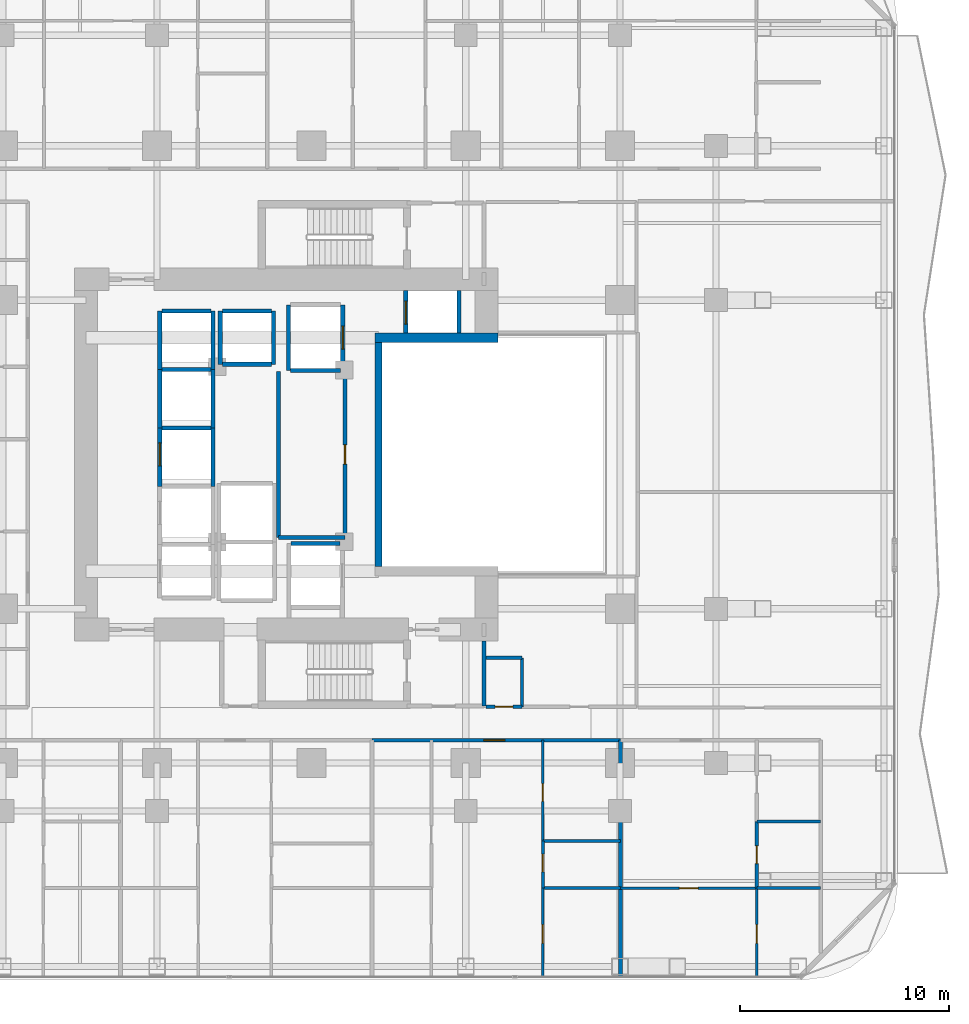
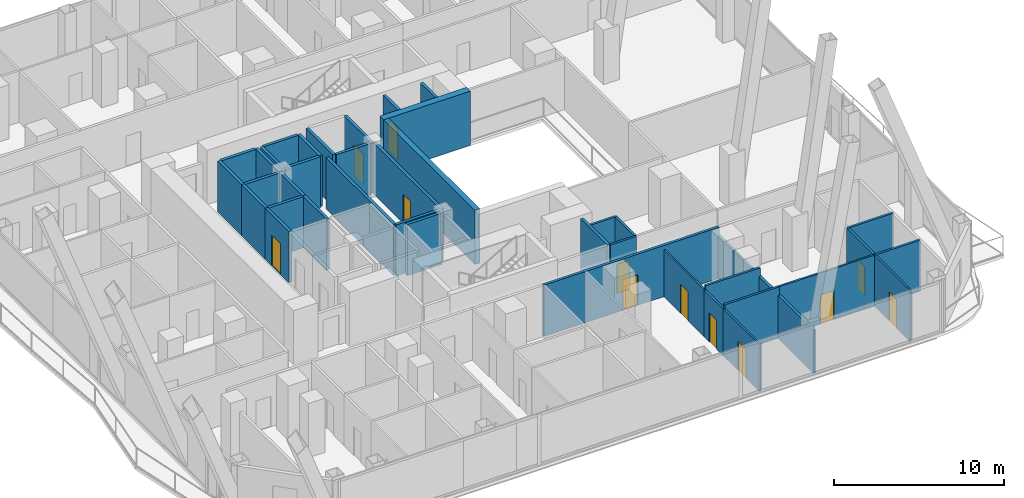
# One storey, part 27 of 33: 40 walls, 12 doors, 12 openings.
"""IFC4 building model written with IfcOpenShell, lengths in metres."""

from ifc_helpers import new_model, si_unit, direction, frame, frame_2d, origin, place, context, subcontext, project, spatial, rectangle, extrude, material, layer, layer_set, type_object, element, fill, save


model = new_model("IFC4")

# Units and contexts
model_context = context("Model", 3, precision=1e-05, world=origin(), true_north=direction((0.0, 1.0)))
body_context = subcontext(model_context, "Body", "Model", "MODEL_VIEW")
ifc_project = project(units=[si_unit("LENGTHUNIT", "METRE"), si_unit("AREAUNIT", "SQUARE_METRE"), si_unit("VOLUMEUNIT", "CUBIC_METRE"), si_unit("PLANEANGLEUNIT", "RADIAN"), si_unit("MASSUNIT", "GRAM", prefix="KILO")], contexts=[model_context])

# Site, building, storey
site_placement = place(None, origin())
site = spatial("IfcSite", under=ifc_project, at=site_placement, CompositionType="ELEMENT")
building_placement = place(site_placement, origin())
building = spatial("IfcBuilding", under=site, at=building_placement, Name="Khorvyn Point Tower", CompositionType="ELEMENT")
storey_placement = place(building_placement, frame((0.0, 0.0, 38.39990234375)))
storey = spatial("IfcBuildingStorey", under=building, at=storey_placement, Name="L10", CompositionType="ELEMENT", Elevation=38.39990234375)

# Wall, opening, door
ifc_material_1 = material(Name="Double acoustic gypsum on twin steel stud", Category="steel")
ifc_layer_1 = layer(ifc_material_1, 0.179931640625)
ifc_layer_set_1 = layer_set([ifc_layer_1], Name="Acoustic Double-Stud Apartment Demising Wall 180")
wall_type_1 = type_object("IfcWallType", Name="Acoustic Double-Stud Apartment Demising Wall 180", PredefinedType="PARTITIONING", material=ifc_layer_set_1)
wall_1_placement = place(storey_placement, frame((2.89990234375, -13.699951171875, 0.0), z_axis=(0.0, 0.0, 1.0), x_axis=(1.0, 0.0, 0.0)))
wall_1 = element("IfcWall", 1, at=wall_1_placement, inside=storey, type_object=wall_type_1, Name="Wall", PredefinedType="PARTITIONING", context=body_context, shape_type="SweptSolid", body=[
    extrude(rectangle(XDim=11.922119140625, YDim=0.179931640625, at=frame_2d((5.9609375, 0.0))), origin(), (0.0, 0.0, 1.0), 3.68017578125),
])
opening_1_placement = place(wall_1_placement, frame((5.37109375, 0.0, 0.0)))
opening_1 = element("IfcOpeningElement", 2, at=opening_1_placement, cuts=wall_1, Name="Opening ID-AP60", PredefinedType="OPENING", context=body_context, shape_type="SweptSolid", body=[
    extrude(rectangle(XDim=1.0, YDim=2.199951171875, at=frame_2d((0.5, 1.10009765625))), frame((0.0, 0.099853515625, 0.0), z_axis=(0.0, -1.0, 0.0), x_axis=(1.0, 0.0, 0.0)), (0.0, 0.0, 1.0), 0.199951171875),
])
ifc_material_2 = material(Name="Engineered hardwood fire-rated leaf", Category="wood")
door_type_1 = type_object("IfcDoorType", Name="Acoustic Solid-Core Timber Apartment Entrance Door 1000x2200", OperationType="NOTDEFINED", PredefinedType="DOOR", material=ifc_material_2)
door_1_placement = place(opening_1_placement, origin())
door_1 = element("IfcDoor", 3, at=door_1_placement, inside=storey, type_object=door_type_1, Name="Door", OperationType="SINGLE_SWING_LEFT", OverallHeight=2.199951171875, OverallWidth=1.0, PredefinedType="DOOR", context=body_context, shape_type="SweptSolid", body=[
    extrude(rectangle(XDim=1.0, YDim=2.199951171875, at=frame_2d((0.5, 1.10009765625))), frame((0.0, 0.02490234375, 0.0), z_axis=(0.0, -1.0, 0.0), x_axis=(1.0, 0.0, 0.0)), (0.0, 0.0, 1.0), 0.050048828125),
])
fill(opening_1, door_1)

# Walls
wall_2_placement = place(storey_placement, frame((14.822021484375, -25.030029296875, 0.0), z_axis=(0.0, 0.0, 1.0), x_axis=(0.0, 1.0, 0.0)))
element("IfcWall", 4, at=wall_2_placement, inside=storey, type_object=wall_type_1, Name="Wall", PredefinedType="PARTITIONING", context=body_context, shape_type="SweptSolid", body=[
    extrude(rectangle(XDim=11.330078125, YDim=0.179931640625, at=frame_2d((5.6650390625, 0.0))), origin(), (0.0, 0.0, 1.0), 3.08203125),
])
ifc_material_3 = material(Name="Concrete C40/50", Category="concrete")
ifc_layer_2 = layer(ifc_material_3, 0.449951171875)
ifc_layer_set_2 = layer_set([ifc_layer_2], Name="Concrete C40/50 Core Shear Wall 450")
wall_type_2 = type_object("IfcWallType", Name="Concrete C40/50 Core Shear Wall 450", PredefinedType="SHEAR", material=ifc_layer_set_2)
wall_3_placement = place(storey_placement, frame((3.044921875, 5.60009765625, 0.0), z_axis=(0.0, 0.0, 1.0), x_axis=(1.0, 0.0, 0.0)))
element("IfcWall", 5, at=wall_3_placement, inside=storey, type_object=wall_type_2, Name="Wall", PredefinedType="SHEAR", context=body_context, shape_type="SweptSolid", body=[
    extrude(rectangle(XDim=5.905029296875, YDim=0.449951171875, at=frame_2d((2.95263671875, 0.0))), origin(), (0.0, 0.0, 1.0), 3.900146484375),
])

# Wall, opening, door
ifc_layer_3 = layer(ifc_material_3, 0.199951171875)
ifc_layer_set_3 = layer_set([ifc_layer_3], Name="Concrete C40/50 Fire-Lobby Compartment Wall 200")
wall_type_3 = type_object("IfcWallType", Name="Concrete C40/50 Fire-Lobby Compartment Wall 200", PredefinedType="SOLIDWALL", material=ifc_layer_set_3)
wall_4_placement = place(storey_placement, frame((1.610107421875, -3.97998046875, 0.0), z_axis=(0.0, 0.0, 1.0), x_axis=(0.0, 1.0, 0.0)))
wall_4 = element("IfcWall", 6, at=wall_4_placement, inside=storey, type_object=wall_type_3, Name="Wall", PredefinedType="SOLIDWALL", context=body_context, shape_type="SweptSolid", body=[
    extrude(rectangle(XDim=7.9599609375, YDim=0.199951171875, at=frame_2d((3.97998046875, 0.0))), origin(), (0.0, 0.0, 1.0), 3.68017578125),
])
opening_2_placement = place(wall_4_placement, frame((3.52001953125, 0.0, 0.0)))
opening_2 = element("IfcOpeningElement", 7, at=opening_2_placement, cuts=wall_4, Name="Opening ID-RS60", PredefinedType="OPENING", context=body_context, shape_type="SweptSolid", body=[
    extrude(rectangle(XDim=0.919921875, YDim=2.10009765625, at=frame_2d((0.4599609375, 1.050048828125))), frame((0.0, 0.10986328125, 0.0), z_axis=(0.0, -1.0, 0.0), x_axis=(1.0, 0.0, 0.0)), (0.0, 0.0, 1.0), 0.219970703125),
])
ifc_material_4 = material(Name="Galvanised powder-coated steel", Category="steel")
door_type_2 = type_object("IfcDoorType", Name="Fire-Rated Riser and Store Steel Door 920x2100", OperationType="NOTDEFINED", PredefinedType="DOOR", material=ifc_material_4)
door_2_placement = place(opening_2_placement, origin())
door_2 = element("IfcDoor", 8, at=door_2_placement, inside=storey, type_object=door_type_2, Name="Door", OperationType="SINGLE_SWING_RIGHT", OverallHeight=2.10009765625, OverallWidth=0.919921875, PredefinedType="DOOR", context=body_context, shape_type="SweptSolid", body=[
    extrude(rectangle(XDim=0.919921875, YDim=2.10009765625, at=frame_2d((0.4599609375, 1.050048828125))), frame((0.0, 0.02490234375, 0.0), z_axis=(0.0, -1.0, 0.0), x_axis=(1.0, 0.0, 0.0)), (0.0, 0.0, 1.0), 0.050048828125),
])
fill(opening_2, door_2)

# Walls
wall_5_placement = place(storey_placement, frame((8.280029296875, -12.06005859375, 0.0), z_axis=(0.0, 0.0, 1.0), x_axis=(0.0, 1.0, 0.0)))
element("IfcWall", 9, at=wall_5_placement, inside=storey, type_object=wall_type_3, Name="Wall", PredefinedType="SOLIDWALL", context=body_context, shape_type="SweptSolid", body=[
    extrude(rectangle(XDim=3.110107421875, YDim=0.199951171875, at=frame_2d((1.55517578125, 0.0))), origin(), (0.0, 0.0, 1.0), 3.68017578125),
])
wall_6_placement = place(storey_placement, frame((-1.580078125, -3.97998046875, 0.0), z_axis=(0.0, 0.0, 1.0), x_axis=(0.0, 1.0, 0.0)))
element("IfcWall", 10, at=wall_6_placement, inside=storey, type_object=wall_type_3, Name="Wall", PredefinedType="SOLIDWALL", context=body_context, shape_type="SweptSolid", body=[
    extrude(rectangle(XDim=7.9599609375, YDim=0.199951171875, at=frame_2d((3.97998046875, 0.0))), origin(), (0.0, 0.0, 1.0), 3.68017578125),
])
wall_7_placement = place(storey_placement, frame((-1.580078125, -3.97998046875, 0.0), z_axis=(0.0, 0.0, 1.0), x_axis=(1.0, 0.0, 0.0)))
element("IfcWall", 11, at=wall_7_placement, inside=storey, type_object=wall_type_3, Name="Wall", PredefinedType="SOLIDWALL", context=body_context, shape_type="SweptSolid", body=[
    extrude(rectangle(XDim=3.190185546875, YDim=0.199951171875, at=frame_2d((1.59521484375, 0.0))), origin(), (0.0, 0.0, 1.0), 3.68017578125),
])
ifc_layer_4 = layer(ifc_material_3, 0.35009765625)
ifc_layer_set_4 = layer_set([ifc_layer_4], Name="Concrete C40/50 Stair Shaft Structural Wall 350")
wall_type_4 = type_object("IfcWallType", Name="Concrete C40/50 Stair Shaft Structural Wall 350", PredefinedType="SHEAR", material=ifc_layer_set_4)
wall_8_placement = place(storey_placement, frame((3.219970703125, -5.375, 0.0), z_axis=(0.0, 0.0, 1.0), x_axis=(0.0, 1.0, 0.0)))
element("IfcWall", 12, at=wall_8_placement, inside=storey, type_object=wall_type_4, Name="Wall", PredefinedType="SHEAR", context=body_context, shape_type="SweptSolid", body=[
    extrude(rectangle(XDim=10.75, YDim=0.35009765625, at=frame_2d((5.375, 0.0))), origin(), (0.0, 0.0, 1.0), 3.900146484375),
])

# Wall, opening, door
ifc_layer_5 = layer(ifc_material_3, 0.199951171875)
ifc_layer_set_5 = layer_set([ifc_layer_5], Name="Concrete C40/50 Structural Hoistway and Stair Shaft Wall 200")
wall_type_5 = type_object("IfcWallType", Name="Concrete C40/50 Structural Hoistway and Stair Shaft Wall 200", PredefinedType="SHEAR", material=ifc_layer_set_5)
wall_9_placement = place(storey_placement, frame((-7.27490234375, -1.52490234375, 0.0), z_axis=(0.0, 0.0, 1.0), x_axis=(0.0, 1.0, 0.0)))
wall_9 = element("IfcWall", 13, at=wall_9_placement, inside=storey, type_object=wall_type_5, Name="Wall", PredefinedType="SHEAR", context=body_context, shape_type="SweptSolid", body=[
    extrude(rectangle(XDim=2.7998046875, YDim=0.199951171875, at=frame_2d((1.39990234375, 0.0))), origin(), (0.0, 0.0, 1.0), 3.68017578125),
])
opening_3_placement = place(wall_9_placement, frame((0.97509765625, 0.0, 0.0)))
opening_3 = element("IfcOpeningElement", 14, at=opening_3_placement, cuts=wall_9, Name="Opening LD-1122", PredefinedType="OPENING", context=body_context, shape_type="SweptSolid", body=[
    extrude(rectangle(XDim=1.10009765625, YDim=2.199951171875, at=frame_2d((0.550048828125, 1.10009765625))), frame((0.0, 0.10986328125, 0.0), z_axis=(0.0, -1.0, 0.0), x_axis=(1.0, 0.0, 0.0)), (0.0, 0.0, 1.0), 0.219970703125),
])
ifc_material_5 = material(Name="Stainless steel 1.4301", Category="steel")
door_type_3 = type_object("IfcDoorType", Name="Stainless Steel Automatic Sliding Lift Landing Door 1100x2200", OperationType="SLIDING_TO_LEFT", PredefinedType="DOOR", material=ifc_material_5)
door_3_placement = place(opening_3_placement, origin())
door_3 = element("IfcDoor", 15, at=door_3_placement, inside=storey, type_object=door_type_3, Name="L10 RL-03 Sliding Lift Landing Door", OperationType="SLIDING_TO_LEFT", OverallHeight=2.199951171875, OverallWidth=1.10009765625, PredefinedType="DOOR", context=body_context, shape_type="SweptSolid", body=[
    extrude(rectangle(XDim=1.10009765625, YDim=2.199951171875, at=frame_2d((0.550048828125, 1.10009765625))), frame((0.0, 0.02490234375, 0.0), z_axis=(0.0, -1.0, 0.0), x_axis=(1.0, 0.0, 0.0)), (0.0, 0.0, 1.0), 0.050048828125),
])
fill(opening_3, door_3)

# Walls
wall_10_placement = place(storey_placement, frame((-4.72509765625, -1.52490234375, 0.0), z_axis=(0.0, 0.0, 1.0), x_axis=(0.0, 1.0, 0.0)))
element("IfcWall", 16, at=wall_10_placement, inside=storey, type_object=wall_type_5, Name="Wall", PredefinedType="SHEAR", context=body_context, shape_type="SweptSolid", body=[
    extrude(rectangle(XDim=2.7998046875, YDim=0.199951171875, at=frame_2d((1.39990234375, 0.0))), origin(), (0.0, 0.0, 1.0), 3.68017578125),
])
wall_11_placement = place(storey_placement, frame((-7.175048828125, 1.27490234375, 0.0), z_axis=(0.0, 0.0, 1.0), x_axis=(1.0, 0.0, 0.0)))
element("IfcWall", 17, at=wall_11_placement, inside=storey, type_object=wall_type_5, Name="Wall", PredefinedType="SHEAR", context=body_context, shape_type="SweptSolid", body=[
    extrude(rectangle(XDim=2.35009765625, YDim=0.199951171875, at=frame_2d((1.175048828125, 0.0))), origin(), (0.0, 0.0, 1.0), 3.68017578125),
])
for number, where, z_axis, x_axis, name in (
    (18, (-7.27490234375, 1.27490234375, 0.0), (0.0, 0.0, 1.0), (0.0, 1.0, 0.0), "Wall"),
    (19, (-4.72509765625, 1.27490234375, 0.0), (0.0, 0.0, 1.0), (0.0, 1.0, 0.0), "Wall"),
):
    element("IfcWall", number, at=place(storey_placement, frame(where, z_axis=z_axis, x_axis=x_axis)), inside=storey, type_object=wall_type_5, Name=name, PredefinedType="SHEAR", context=body_context, shape_type="SweptSolid", body=[
        extrude(rectangle(XDim=2.800048828125, YDim=0.199951171875, at=frame_2d((1.39990234375, 0.0))), origin(), (0.0, 0.0, 1.0), 3.68017578125),
    ])
wall_12_placement = place(storey_placement, frame((-7.175048828125, 4.074951171875, 0.0), z_axis=(0.0, 0.0, 1.0), x_axis=(1.0, 0.0, 0.0)))
element("IfcWall", 20, at=wall_12_placement, inside=storey, type_object=wall_type_5, Name="Wall", PredefinedType="SHEAR", context=body_context, shape_type="SweptSolid", body=[
    extrude(rectangle(XDim=2.35009765625, YDim=0.199951171875, at=frame_2d((1.175048828125, 0.0))), origin(), (0.0, 0.0, 1.0), 3.68017578125),
])
for number, where, z_axis, x_axis, name in (
    (21, (-7.27490234375, 4.074951171875, 0.0), (0.0, 0.0, 1.0), (0.0, 1.0, 0.0), "Wall"),
    (22, (-4.72509765625, 4.074951171875, 0.0), (0.0, 0.0, 1.0), (0.0, 1.0, 0.0), "Wall"),
):
    element("IfcWall", number, at=place(storey_placement, frame(where, z_axis=z_axis, x_axis=x_axis)), inside=storey, type_object=wall_type_5, Name=name, PredefinedType="SHEAR", context=body_context, shape_type="SweptSolid", body=[
        extrude(rectangle(XDim=2.800048828125, YDim=0.199951171875, at=frame_2d((1.39990234375, 0.0))), origin(), (0.0, 0.0, 1.0), 3.68017578125),
    ])
wall_13_placement = place(storey_placement, frame((-7.175048828125, 6.875, 0.0), z_axis=(0.0, 0.0, 1.0), x_axis=(1.0, 0.0, 0.0)))
element("IfcWall", 23, at=wall_13_placement, inside=storey, type_object=wall_type_5, Name="Wall", PredefinedType="SHEAR", context=body_context, shape_type="SweptSolid", body=[
    extrude(rectangle(XDim=2.35009765625, YDim=0.199951171875, at=frame_2d((1.175048828125, 0.0))), origin(), (0.0, 0.0, 1.0), 3.68017578125),
])
for number, where, z_axis, x_axis, name in (
    (24, (-4.375, 4.324951171875, 0.0), (0.0, 0.0, 1.0), (0.0, 1.0, 0.0), "Wall"),
    (25, (-1.824951171875, 4.324951171875, 0.0), (0.0, 0.0, 1.0), (0.0, 1.0, 0.0), "Wall"),
):
    element("IfcWall", number, at=place(storey_placement, frame(where, z_axis=z_axis, x_axis=x_axis)), inside=storey, type_object=wall_type_5, Name=name, PredefinedType="SHEAR", context=body_context, shape_type="SweptSolid", body=[
        extrude(rectangle(XDim=2.550048828125, YDim=0.199951171875, at=frame_2d((1.27490234375, 0.0))), origin(), (0.0, 0.0, 1.0), 3.68017578125),
    ])
for number, where, z_axis, x_axis, name in (
    (26, (-4.27490234375, 4.324951171875, 0.0), (0.0, 0.0, 1.0), (1.0, 0.0, 0.0), "Wall"),
    (27, (-4.27490234375, 6.875, 0.0), (0.0, 0.0, 1.0), (1.0, 0.0, 0.0), "Wall"),
):
    element("IfcWall", number, at=place(storey_placement, frame(where, z_axis=z_axis, x_axis=x_axis)), inside=storey, type_object=wall_type_5, Name=name, PredefinedType="SHEAR", context=body_context, shape_type="SweptSolid", body=[
        extrude(rectangle(XDim=2.349853515625, YDim=0.199951171875, at=frame_2d((1.1748046875, 0.0))), origin(), (0.0, 0.0, 1.0), 3.68017578125),
    ])
wall_14_placement = place(storey_placement, frame((-1.10009765625, 4.02490234375, 0.0), z_axis=(0.0, 0.0, 1.0), x_axis=(0.0, 1.0, 0.0)))
element("IfcWall", 28, at=wall_14_placement, inside=storey, type_object=wall_type_5, Name="Wall", PredefinedType="SHEAR", context=body_context, shape_type="SweptSolid", body=[
    extrude(rectangle(XDim=3.150146484375, YDim=0.199951171875, at=frame_2d((1.5751953125, 0.0))), origin(), (0.0, 0.0, 1.0), 3.68017578125),
])

# Wall, opening, door
wall_15_placement = place(storey_placement, frame((1.5, 4.02490234375, 0.0), z_axis=(0.0, 0.0, 1.0), x_axis=(0.0, 1.0, 0.0)))
wall_15 = element("IfcWall", 29, at=wall_15_placement, inside=storey, type_object=wall_type_5, Name="Wall", PredefinedType="SHEAR", context=body_context, shape_type="SweptSolid", body=[
    extrude(rectangle(XDim=3.150146484375, YDim=0.199951171875, at=frame_2d((1.5751953125, 0.0))), origin(), (0.0, 0.0, 1.0), 3.68017578125),
])
opening_4_placement = place(wall_15_placement, frame((1.02490234375, 0.0, 0.0)))
opening_4 = element("IfcOpeningElement", 30, at=opening_4_placement, cuts=wall_15, Name="Opening LD-1122", PredefinedType="OPENING", context=body_context, shape_type="SweptSolid", body=[
    extrude(rectangle(XDim=1.10009765625, YDim=2.199951171875, at=frame_2d((0.550048828125, 1.10009765625))), frame((0.0, 0.10986328125, 0.0), z_axis=(0.0, -1.0, 0.0), x_axis=(1.0, 0.0, 0.0)), (0.0, 0.0, 1.0), 0.219970703125),
])
door_4_placement = place(opening_4_placement, origin())
door_4 = element("IfcDoor", 31, at=door_4_placement, inside=storey, type_object=door_type_3, Name="L10 SV-01 Sliding Lift Landing Door", OperationType="SLIDING_TO_LEFT", OverallHeight=2.199951171875, OverallWidth=1.10009765625, PredefinedType="DOOR", context=body_context, shape_type="SweptSolid", body=[
    extrude(rectangle(XDim=1.10009765625, YDim=2.199951171875, at=frame_2d((0.550048828125, 1.10009765625))), frame((0.0, 0.02490234375, 0.0), z_axis=(0.0, -1.0, 0.0), x_axis=(1.0, 0.0, 0.0)), (0.0, 0.0, 1.0), 0.050048828125),
])
fill(opening_4, door_4)

# Walls
wall_16_placement = place(storey_placement, frame((-1.0, 4.02490234375, 0.0), z_axis=(0.0, 0.0, 1.0), x_axis=(1.0, 0.0, 0.0)))
element("IfcWall", 32, at=wall_16_placement, inside=storey, type_object=wall_type_5, Name="Wall", PredefinedType="SHEAR", context=body_context, shape_type="SweptSolid", body=[
    extrude(rectangle(XDim=2.39990234375, YDim=0.199951171875, at=frame_2d((1.199951171875, 0.0))), origin(), (0.0, 0.0, 1.0), 3.68017578125),
])
wall_17_placement = place(storey_placement, frame((-0.97509765625, -4.27490234375, 0.0), z_axis=(0.0, 0.0, 1.0), x_axis=(1.0, 0.0, 0.0)))
element("IfcWall", 33, at=wall_17_placement, inside=storey, type_object=wall_type_5, Name="Wall", PredefinedType="SHEAR", context=body_context, shape_type="SweptSolid", body=[
    extrude(rectangle(XDim=2.35009765625, YDim=0.199951171875, at=frame_2d((1.175048828125, 0.0))), origin(), (0.0, 0.0, 1.0), 3.68017578125),
])

# Wall, opening, door
wall_18_placement = place(storey_placement, frame((4.52490234375, 5.824951171875, 0.0), z_axis=(0.0, 0.0, 1.0), x_axis=(0.0, 1.0, 0.0)))
wall_18 = element("IfcWall", 34, at=wall_18_placement, inside=storey, type_object=wall_type_5, Name="Wall", PredefinedType="SHEAR", context=body_context, shape_type="SweptSolid", body=[
    extrude(rectangle(XDim=2.025146484375, YDim=0.199951171875, at=frame_2d((1.0126953125, 0.0))), origin(), (0.0, 0.0, 1.0), 3.68017578125),
])
opening_5_placement = place(wall_18_placement, frame((0.425048828125, 0.0, 0.0)))
opening_5 = element("IfcOpeningElement", 35, at=opening_5_placement, cuts=wall_18, Name="Opening LD-1122", PredefinedType="OPENING", context=body_context, shape_type="SweptSolid", body=[
    extrude(rectangle(XDim=1.10009765625, YDim=2.199951171875, at=frame_2d((0.550048828125, 1.10009765625))), frame((0.0, 0.10986328125, 0.0), z_axis=(0.0, -1.0, 0.0), x_axis=(1.0, 0.0, 0.0)), (0.0, 0.0, 1.0), 0.219970703125),
])
door_5_placement = place(opening_5_placement, origin())
door_5 = element("IfcDoor", 36, at=door_5_placement, inside=storey, type_object=door_type_3, Name="L10 FF-02 Sliding Lift Landing Door", OperationType="SLIDING_TO_LEFT", OverallHeight=2.199951171875, OverallWidth=1.10009765625, PredefinedType="DOOR", context=body_context, shape_type="SweptSolid", body=[
    extrude(rectangle(XDim=1.10009765625, YDim=2.199951171875, at=frame_2d((0.550048828125, 1.10009765625))), frame((0.0, 0.02490234375, 0.0), z_axis=(0.0, -1.0, 0.0), x_axis=(1.0, 0.0, 0.0)), (0.0, 0.0, 1.0), 0.050048828125),
])
fill(opening_5, door_5)

# Wall
wall_19_placement = place(storey_placement, frame((7.074951171875, 5.824951171875, 0.0), z_axis=(0.0, 0.0, 1.0), x_axis=(0.0, 1.0, 0.0)))
element("IfcWall", 37, at=wall_19_placement, inside=storey, type_object=wall_type_5, Name="Wall", PredefinedType="SHEAR", context=body_context, shape_type="SweptSolid", body=[
    extrude(rectangle(XDim=2.025146484375, YDim=0.199951171875, at=frame_2d((1.0126953125, 0.0))), origin(), (0.0, 0.0, 1.0), 3.68017578125),
])

# Wall, opening, door
ifc_material_6 = material(Name="Gypsum plasterboard on steel stud", Category="steel")
ifc_layer_6 = layer(ifc_material_6, 0.1201171875)
ifc_layer_set_6 = layer_set([ifc_layer_6], Name="Gypsum Acoustic Stud Room Partition Wall 120")
wall_type_6 = type_object("IfcWallType", Name="Gypsum Acoustic Stud Room Partition Wall 120", PredefinedType="PARTITIONING", material=ifc_layer_set_6)
wall_20_placement = place(storey_placement, frame((11.10205078125, -18.534912109375, 0.0), z_axis=(0.0, 0.0, 1.0), x_axis=(0.0, 1.0, 0.0)))
wall_20 = element("IfcWall", 38, at=wall_20_placement, inside=storey, type_object=wall_type_6, Name="Wall", PredefinedType="PARTITIONING", context=body_context, shape_type="SweptSolid", body=[
    extrude(rectangle(XDim=4.8349609375, YDim=0.1201171875, at=frame_2d((2.41748046875, 0.0))), origin(), (0.0, 0.0, 1.0), 3.3701171875),
])
opening_6_placement = place(wall_20_placement, frame((1.9052734375, 0.0, 0.0)))
opening_6 = element("IfcOpeningElement", 39, at=opening_6_placement, cuts=wall_20, Name="Opening ID-WC85", PredefinedType="OPENING", context=body_context, shape_type="SweptSolid", body=[
    extrude(rectangle(XDim=0.85009765625, YDim=2.10009765625, at=frame_2d((0.425048828125, 1.050048828125))), frame((0.0, 0.070068359375, 0.0), z_axis=(0.0, -1.0, 0.0), x_axis=(1.0, 0.0, 0.0)), (0.0, 0.0, 1.0), 0.14013671875),
])
ifc_material_7 = material(Name="High-pressure laminate on moisture-resistant core", Category="wood")
door_type_4 = type_object("IfcDoorType", Name="Moisture-Resistant Accessible Washroom Door 850x2100", OperationType="NOTDEFINED", PredefinedType="DOOR", material=ifc_material_7)
door_6_placement = place(opening_6_placement, origin())
door_6 = element("IfcDoor", 40, at=door_6_placement, inside=storey, type_object=door_type_4, Name="Door", OperationType="SINGLE_SWING_LEFT", OverallHeight=2.10009765625, OverallWidth=0.85009765625, PredefinedType="DOOR", context=body_context, shape_type="SweptSolid", body=[
    extrude(rectangle(XDim=0.85009765625, YDim=2.10009765625, at=frame_2d((0.425048828125, 1.050048828125))), frame((0.0, 0.02490234375, 0.0), z_axis=(0.0, -1.0, 0.0), x_axis=(1.0, 0.0, 0.0)), (0.0, 0.0, 1.0), 0.050048828125),
])
fill(opening_6, door_6)

wall_21_placement = place(storey_placement, frame((11.10205078125, -25.030029296875, 0.0), z_axis=(0.0, 0.0, 1.0), x_axis=(0.0, 1.0, 0.0)))
wall_21 = element("IfcWall", 41, at=wall_21_placement, inside=storey, type_object=wall_type_6, Name="Wall", PredefinedType="PARTITIONING", context=body_context, shape_type="SweptSolid", body=[
    extrude(rectangle(XDim=4.239990234375, YDim=0.1201171875, at=frame_2d((2.1201171875, 0.0))), origin(), (0.0, 0.0, 1.0), 3.3701171875),
])
opening_7_placement = place(wall_21_placement, frame((1.581298828125, 0.0, 0.0)))
opening_7 = element("IfcOpeningElement", 42, at=opening_7_placement, cuts=wall_21, Name="Opening ID-RM90", PredefinedType="OPENING", context=body_context, shape_type="SweptSolid", body=[
    extrude(rectangle(XDim=0.89990234375, YDim=2.10009765625, at=frame_2d((0.449951171875, 1.050048828125))), frame((0.0, 0.070068359375, 0.0), z_axis=(0.0, -1.0, 0.0), x_axis=(1.0, 0.0, 0.0)), (0.0, 0.0, 1.0), 0.14013671875),
])
ifc_material_8 = material(Name="Engineered oak veneer timber", Category="wood")
door_type_5 = type_object("IfcDoorType", Name="Flush Engineered Timber Room Door 900x2100", OperationType="NOTDEFINED", PredefinedType="DOOR", material=ifc_material_8)
door_7_placement = place(opening_7_placement, origin())
door_7 = element("IfcDoor", 43, at=door_7_placement, inside=storey, type_object=door_type_5, Name="Door", OperationType="SINGLE_SWING_RIGHT", OverallHeight=2.10009765625, OverallWidth=0.89990234375, PredefinedType="DOOR", context=body_context, shape_type="SweptSolid", body=[
    extrude(rectangle(XDim=0.89990234375, YDim=2.10009765625, at=frame_2d((0.449951171875, 1.050048828125))), frame((0.0, 0.02490234375, 0.0), z_axis=(0.0, -1.0, 0.0), x_axis=(1.0, 0.0, 0.0)), (0.0, 0.0, 1.0), 0.050048828125),
])
fill(opening_7, door_7)

wall_22_placement = place(storey_placement, frame((14.822021484375, -20.7900390625, 0.0), z_axis=(0.0, 0.0, 1.0), x_axis=(1.0, 0.0, 0.0)))
wall_22 = element("IfcWall", 44, at=wall_22_placement, inside=storey, type_object=wall_type_6, Name="Wall", PredefinedType="PARTITIONING", context=body_context, shape_type="SweptSolid", body=[
    extrude(rectangle(XDim=6.532958984375, YDim=0.1201171875, at=frame_2d((3.2666015625, 0.0))), origin(), (0.0, 0.0, 1.0), 3.68017578125),
])
opening_8_placement = place(wall_22_placement, frame((2.81640625, 0.0, 0.0)))
opening_8 = element("IfcOpeningElement", 45, at=opening_8_placement, cuts=wall_22, Name="Opening ID-RM90", PredefinedType="OPENING", context=body_context, shape_type="SweptSolid", body=[
    extrude(rectangle(XDim=0.89990234375, YDim=2.10009765625, at=frame_2d((0.449951171875, 1.050048828125))), frame((0.0, 0.070068359375, 0.0), z_axis=(0.0, -1.0, 0.0), x_axis=(1.0, 0.0, 0.0)), (0.0, 0.0, 1.0), 0.14013671875),
])
door_8_placement = place(opening_8_placement, origin())
door_8 = element("IfcDoor", 46, at=door_8_placement, inside=storey, type_object=door_type_5, Name="Door", OperationType="SINGLE_SWING_RIGHT", OverallHeight=2.10009765625, OverallWidth=0.89990234375, PredefinedType="DOOR", context=body_context, shape_type="SweptSolid", body=[
    extrude(rectangle(XDim=0.89990234375, YDim=2.10009765625, at=frame_2d((0.449951171875, 1.050048828125))), frame((0.0, 0.02490234375, 0.0), z_axis=(0.0, -1.0, 0.0), x_axis=(1.0, 0.0, 0.0)), (0.0, 0.0, 1.0), 0.050048828125),
])
fill(opening_8, door_8)

wall_23_placement = place(storey_placement, frame((21.35498046875, -25.030029296875, 0.0), z_axis=(0.0, 0.0, 1.0), x_axis=(0.0, 1.0, 0.0)))
wall_23 = element("IfcWall", 47, at=wall_23_placement, inside=storey, type_object=wall_type_6, Name="Wall", PredefinedType="PARTITIONING", context=body_context, shape_type="SweptSolid", body=[
    extrude(rectangle(XDim=4.239990234375, YDim=0.1201171875, at=frame_2d((2.1201171875, 0.0))), origin(), (0.0, 0.0, 1.0), 3.68017578125),
])
opening_9_placement = place(wall_23_placement, frame((1.581298828125, 0.0, 0.0)))
opening_9 = element("IfcOpeningElement", 48, at=opening_9_placement, cuts=wall_23, Name="Opening ID-RM90", PredefinedType="OPENING", context=body_context, shape_type="SweptSolid", body=[
    extrude(rectangle(XDim=0.89990234375, YDim=2.10009765625, at=frame_2d((0.449951171875, 1.050048828125))), frame((0.0, 0.070068359375, 0.0), z_axis=(0.0, -1.0, 0.0), x_axis=(1.0, 0.0, 0.0)), (0.0, 0.0, 1.0), 0.14013671875),
])
door_9_placement = place(opening_9_placement, origin())
door_9 = element("IfcDoor", 49, at=door_9_placement, inside=storey, type_object=door_type_5, Name="Door", OperationType="SINGLE_SWING_LEFT", OverallHeight=2.10009765625, OverallWidth=0.89990234375, PredefinedType="DOOR", context=body_context, shape_type="SweptSolid", body=[
    extrude(rectangle(XDim=0.89990234375, YDim=2.10009765625, at=frame_2d((0.449951171875, 1.050048828125))), frame((0.0, 0.02490234375, 0.0), z_axis=(0.0, -1.0, 0.0), x_axis=(1.0, 0.0, 0.0)), (0.0, 0.0, 1.0), 0.050048828125),
])
fill(opening_9, door_9)

ifc_material_9 = material(Name="Moisture-resistant gypsum and cement board", Category="gypsum")
ifc_layer_7 = layer(ifc_material_9, 0.14990234375)
ifc_layer_set_7 = layer_set([ifc_layer_7], Name="Moisture-Resistant Wet-Room Partition Wall 150")
wall_type_7 = type_object("IfcWallType", Name="Moisture-Resistant Wet-Room Partition Wall 150", PredefinedType="PARTITIONING", material=ifc_layer_set_7)
wall_24_placement = place(storey_placement, frame((8.360107421875, -12.10009765625, 0.0), z_axis=(0.0, 0.0, 1.0), x_axis=(1.0, 0.0, 0.0)))
wall_24 = element("IfcWall", 50, at=wall_24_placement, inside=storey, type_object=wall_type_7, Name="Wall", PredefinedType="PARTITIONING", context=body_context, shape_type="SweptSolid", body=[
    extrude(rectangle(XDim=1.739990234375, YDim=0.14990234375, at=frame_2d((0.8701171875, 0.0))), origin(), (0.0, 0.0, 1.0), 3.68017578125),
])
opening_10_placement = place(wall_24_placement, frame((0.445068359375, 0.0, 0.0)))
opening_10 = element("IfcOpeningElement", 51, at=opening_10_placement, cuts=wall_24, Name="Opening ID-WC85", PredefinedType="OPENING", context=body_context, shape_type="SweptSolid", body=[
    extrude(rectangle(XDim=0.85009765625, YDim=2.10009765625, at=frame_2d((0.425048828125, 1.050048828125))), frame((0.0, 0.0849609375, 0.0), z_axis=(0.0, -1.0, 0.0), x_axis=(1.0, 0.0, 0.0)), (0.0, 0.0, 1.0), 0.169921875),
])
door_10_placement = place(opening_10_placement, origin())
door_10 = element("IfcDoor", 52, at=door_10_placement, inside=storey, type_object=door_type_4, Name="Door", OperationType="SINGLE_SWING_LEFT", OverallHeight=2.10009765625, OverallWidth=0.85009765625, PredefinedType="DOOR", context=body_context, shape_type="SweptSolid", body=[
    extrude(rectangle(XDim=0.85009765625, YDim=2.10009765625, at=frame_2d((0.425048828125, 1.050048828125))), frame((0.0, 0.02490234375, 0.0), z_axis=(0.0, -1.0, 0.0), x_axis=(1.0, 0.0, 0.0)), (0.0, 0.0, 1.0), 0.050048828125),
])
fill(opening_10, door_10)

wall_25_placement = place(storey_placement, frame((11.10205078125, -20.7900390625, 0.0), z_axis=(0.0, 0.0, 1.0), x_axis=(0.0, 1.0, 0.0)))
wall_25 = element("IfcWall", 53, at=wall_25_placement, inside=storey, type_object=wall_type_7, Name="Wall", PredefinedType="PARTITIONING", context=body_context, shape_type="SweptSolid", body=[
    extrude(rectangle(XDim=2.255126953125, YDim=0.14990234375, at=frame_2d((1.12744140625, 0.0))), origin(), (0.0, 0.0, 1.0), 3.3701171875),
])
opening_11_placement = place(wall_25_placement, frame((0.780029296875, 0.0, 0.0)))
opening_11 = element("IfcOpeningElement", 54, at=opening_11_placement, cuts=wall_25, Name="Opening ID-WC85", PredefinedType="OPENING", context=body_context, shape_type="SweptSolid", body=[
    extrude(rectangle(XDim=0.85009765625, YDim=2.10009765625, at=frame_2d((0.425048828125, 1.050048828125))), frame((0.0, 0.0849609375, 0.0), z_axis=(0.0, -1.0, 0.0), x_axis=(1.0, 0.0, 0.0)), (0.0, 0.0, 1.0), 0.169921875),
])
door_11_placement = place(opening_11_placement, origin())
door_11 = element("IfcDoor", 55, at=door_11_placement, inside=storey, type_object=door_type_4, Name="Door", OperationType="SINGLE_SWING_RIGHT", OverallHeight=2.10009765625, OverallWidth=0.85009765625, PredefinedType="DOOR", context=body_context, shape_type="SweptSolid", body=[
    extrude(rectangle(XDim=0.85009765625, YDim=2.10009765625, at=frame_2d((0.425048828125, 1.050048828125))), frame((0.0, 0.02490234375, 0.0), z_axis=(0.0, -1.0, 0.0), x_axis=(1.0, 0.0, 0.0)), (0.0, 0.0, 1.0), 0.050048828125),
])
fill(opening_11, door_11)

wall_26_placement = place(storey_placement, frame((21.35498046875, -20.7900390625, 0.0), z_axis=(0.0, 0.0, 1.0), x_axis=(0.0, 1.0, 0.0)))
wall_26 = element("IfcWall", 56, at=wall_26_placement, inside=storey, type_object=wall_type_7, Name="Wall", PredefinedType="PARTITIONING", context=body_context, shape_type="SweptSolid", body=[
    extrude(rectangle(XDim=3.19091796875, YDim=0.14990234375, at=frame_2d((1.595458984375, 0.0))), origin(), (0.0, 0.0, 1.0), 3.68017578125),
])
opening_12_placement = place(wall_26_placement, frame((1.17041015625, 0.0, 0.0)))
opening_12 = element("IfcOpeningElement", 57, at=opening_12_placement, cuts=wall_26, Name="Opening ID-WC85", PredefinedType="OPENING", context=body_context, shape_type="SweptSolid", body=[
    extrude(rectangle(XDim=0.85009765625, YDim=2.10009765625, at=frame_2d((0.425048828125, 1.050048828125))), frame((0.0, 0.0849609375, 0.0), z_axis=(0.0, -1.0, 0.0), x_axis=(1.0, 0.0, 0.0)), (0.0, 0.0, 1.0), 0.169921875),
])
door_12_placement = place(opening_12_placement, origin())
door_12 = element("IfcDoor", 58, at=door_12_placement, inside=storey, type_object=door_type_4, Name="Door", OperationType="SINGLE_SWING_RIGHT", OverallHeight=2.10009765625, OverallWidth=0.85009765625, PredefinedType="DOOR", context=body_context, shape_type="SweptSolid", body=[
    extrude(rectangle(XDim=0.85009765625, YDim=2.10009765625, at=frame_2d((0.425048828125, 1.050048828125))), frame((0.0, 0.02490234375, 0.0), z_axis=(0.0, -1.0, 0.0), x_axis=(1.0, 0.0, 0.0)), (0.0, 0.0, 1.0), 0.050048828125),
])
fill(opening_12, door_12)

# Walls
wall_27_placement = place(storey_placement, frame((8.360107421875, -9.75, 0.0), z_axis=(0.0, 0.0, 1.0), x_axis=(1.0, 0.0, 0.0)))
element("IfcWall", 59, at=wall_27_placement, inside=storey, type_object=wall_type_7, Name="Wall", PredefinedType="PARTITIONING", context=body_context, shape_type="SweptSolid", body=[
    extrude(rectangle(XDim=1.739990234375, YDim=0.14990234375, at=frame_2d((0.8701171875, 0.0))), origin(), (0.0, 0.0, 1.0), 3.68017578125),
])
wall_28_placement = place(storey_placement, frame((10.10009765625, -12.10009765625, 0.0), z_axis=(0.0, 0.0, 1.0), x_axis=(0.0, 1.0, 0.0)))
element("IfcWall", 60, at=wall_28_placement, inside=storey, type_object=wall_type_7, Name="Wall", PredefinedType="PARTITIONING", context=body_context, shape_type="SweptSolid", body=[
    extrude(rectangle(XDim=2.35009765625, YDim=0.14990234375, at=frame_2d((1.175048828125, 0.0))), origin(), (0.0, 0.0, 1.0), 3.68017578125),
])
for number, where, z_axis, x_axis, name in (
    (61, (11.10205078125, -18.534912109375, 0.0), (0.0, 0.0, 1.0), (1.0, 0.0, 0.0), "Wall"),
    (62, (11.10205078125, -20.7900390625, 0.0), (0.0, 0.0, 1.0), (1.0, 0.0, 0.0), "Wall"),
):
    element("IfcWall", number, at=place(storey_placement, frame(where, z_axis=z_axis, x_axis=x_axis)), inside=storey, type_object=wall_type_7, Name=name, PredefinedType="PARTITIONING", context=body_context, shape_type="SweptSolid", body=[
        extrude(rectangle(XDim=3.719970703125, YDim=0.14990234375, at=frame_2d((1.85986328125, 0.0))), origin(), (0.0, 0.0, 1.0), 3.68017578125),
    ])
for number, where, z_axis, x_axis, name in (
    (63, (21.35498046875, -17.59912109375, 0.0), (0.0, 0.0, 1.0), (1.0, 0.0, 0.0), "Wall"),
    (64, (21.35498046875, -20.7900390625, 0.0), (0.0, 0.0, 1.0), (1.0, 0.0, 0.0), "Wall"),
):
    element("IfcWall", number, at=place(storey_placement, frame(where, z_axis=z_axis, x_axis=x_axis)), inside=storey, type_object=wall_type_7, Name=name, PredefinedType="PARTITIONING", context=body_context, shape_type="SweptSolid", body=[
        extrude(rectangle(XDim=3.06494140625, YDim=0.14990234375, at=frame_2d((1.532470703125, 0.0))), origin(), (0.0, 0.0, 1.0), 3.68017578125),
    ])

save(model, "model.ifc")
